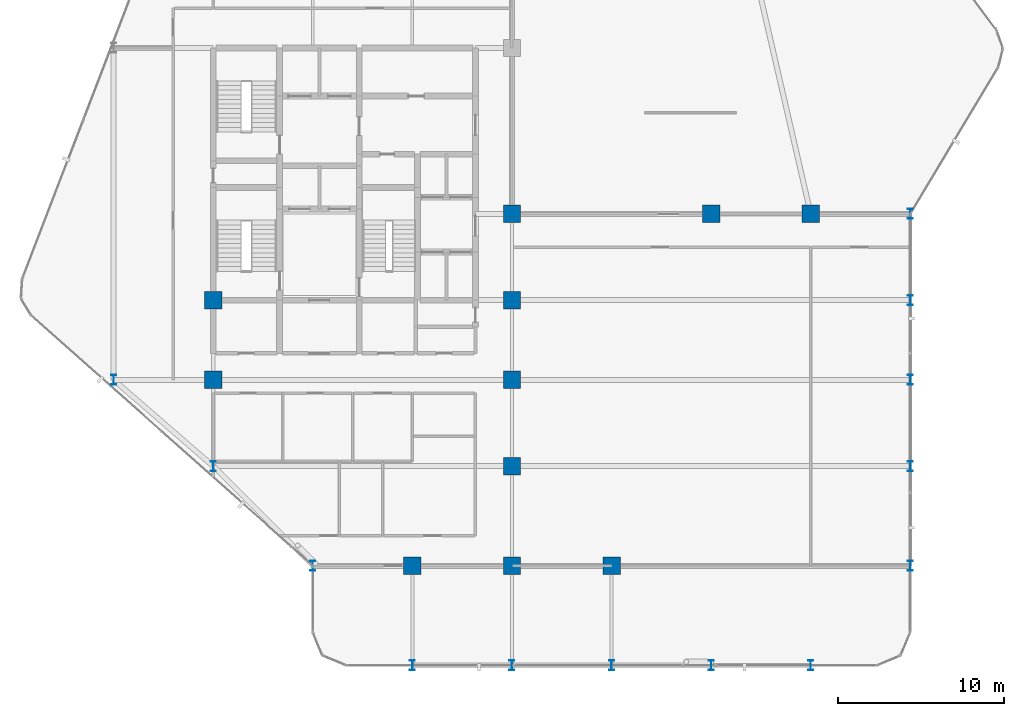
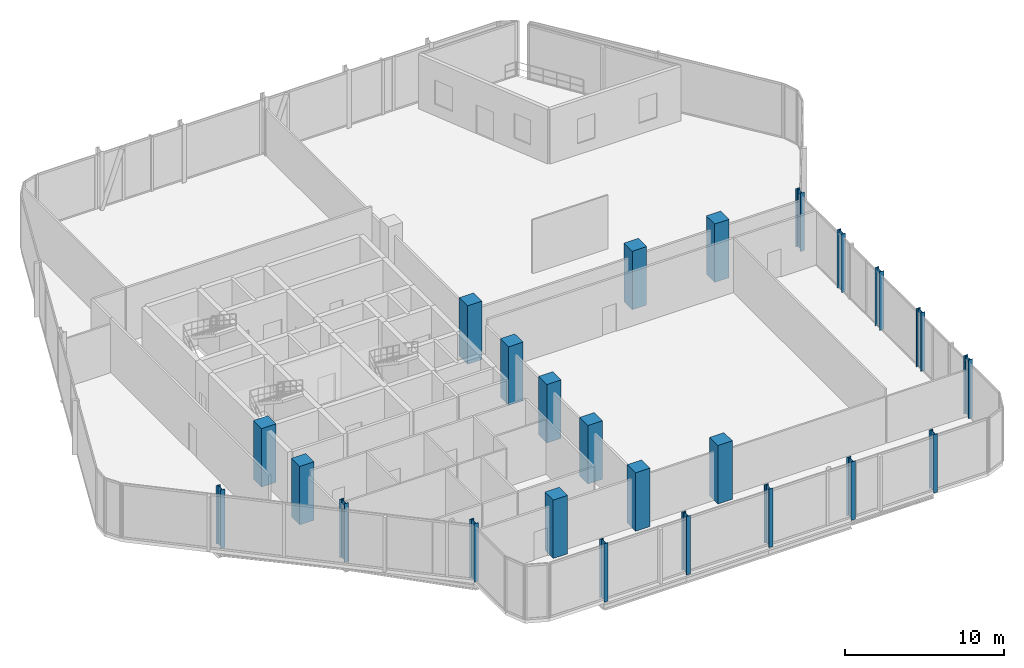
# One storey, part 1 of 31: 24 columns.
"""IFC4 building model written with IfcOpenShell, lengths in metres."""

from ifc_helpers import new_model, si_unit, direction, frame, origin, origin_2d, place, context, subcontext, project, spatial, rectangle, i_section, extrude, material, material_profile, profile_set, type_object, element, save


model = new_model("IFC4")

# Units and contexts
model_context = context("Model", 3, precision=1e-05, world=origin(), true_north=direction((0.0, 1.0)))
body_context = subcontext(model_context, "Body", "Model", "MODEL_VIEW")
ifc_project = project(units=[si_unit("LENGTHUNIT", "METRE"), si_unit("AREAUNIT", "SQUARE_METRE"), si_unit("VOLUMEUNIT", "CUBIC_METRE"), si_unit("PLANEANGLEUNIT", "RADIAN"), si_unit("MASSUNIT", "GRAM", prefix="KILO")], contexts=[model_context])

# Site, building, storey
site_placement = place(None, origin())
site = spatial("IfcSite", under=ifc_project, at=site_placement, CompositionType="ELEMENT")
building_placement = place(site_placement, origin())
building = spatial("IfcBuilding", under=site, at=building_placement, Name="Keshet Zoharim Tower", CompositionType="ELEMENT")
storey_placement = place(building_placement, frame((0.0, 0.0, 125.300048828125)))
storey = spatial("IfcBuildingStorey", under=building, at=storey_placement, Name="L30", CompositionType="ELEMENT", Elevation=125.300048828125)

# Columns
ifc_material_1 = material(Name="Steel S355", Category="steel")
ifc_material_profile_1 = material_profile(ifc_material_1, i_section(OverallWidth=0.300048828125, OverallDepth=0.60009765625, WebThickness=0.015380859375, FlangeThickness=0.030029296875, FilletRadius=0.027099609375, at=origin_2d()), Name="HEB600")
ifc_profile_set_1 = profile_set([ifc_material_profile_1], Name="Steel S355")
column_type_1 = type_object("IfcColumnType", Name="COL-HEB600", PredefinedType="COLUMN", material=ifc_profile_set_1)
for number, where, z_axis, x_axis, name in (
    (1, (9.0, 17.89990234375, 0.0), (0.0, 0.0, 1.0), (1.0, 0.0, 0.0), "L30 Column 2D"),
    (2, (15.0, 12.699951171875, 0.0), (0.0, 0.0, 1.0), (1.0, 0.0, 0.0), "L30 Column 3C"),
    (3, (21.0, 6.699951171875, 0.0), (0.0, 0.0, 1.0), (1.0, 0.0, 0.0), "L30 Column 4B"),
    (4, (27.0, 0.699951171875, 0.0), (0.0, 0.0, 1.0), (1.0, 0.0, 0.0), "L30 Column 5A"),
    (5, (33.0, 0.699951171875, 0.0), (0.0, 0.0, 1.0), (1.0, 0.0, 0.0), "L30 Column 6A"),
    (6, (39.0, 0.699951171875, 0.0), (0.0, 0.0, 1.0), (1.0, 0.0, 0.0), "L30 Column 7A"),
    (7, (45.0, 0.699951171875, 0.0), (0.0, 0.0, 1.0), (1.0, 0.0, 0.0), "L30 Column 8A"),
    (8, (51.0, 0.699951171875, 0.0), (0.0, 0.0, 1.0), (1.0, 0.0, 0.0), "L30 Column 9A"),
    (9, (57.0, 6.699951171875, 0.0), (0.0, 0.0, 1.0), (1.0, 0.0, 0.0), "L30 Column 10B"),
    (10, (57.0, 12.699951171875, 0.0), (0.0, 0.0, 1.0), (1.0, 0.0, 0.0), "L30 Column 10C"),
    (11, (57.0, 17.89990234375, 0.0), (0.0, 0.0, 1.0), (1.0, 0.0, 0.0), "L30 Column 10D"),
    (12, (57.0, 22.699951171875, 0.0), (0.0, 0.0, 1.0), (1.0, 0.0, 0.0), "L30 Column 10E"),
    (13, (57.0, 27.89990234375, 0.0), (0.0, 0.0, 1.0), (1.0, 0.0, 0.0), "L30 Column 10F"),
):
    element("IfcColumn", number, at=place(storey_placement, frame(where, z_axis=z_axis, x_axis=x_axis)), inside=storey, type_object=column_type_1, Name=name, PredefinedType="COLUMN", context=body_context, shape_type="SweptSolid", body=[
        extrude(i_section(OverallWidth=0.300048828125, OverallDepth=0.60009765625, WebThickness=0.015380859375, FlangeThickness=0.030029296875, FilletRadius=0.027099609375, at=origin_2d()), origin(), (0.0, 0.0, 1.0), 4.5),
    ])
ifc_material_2 = material(Name="Concrete C60/75", Category="concrete")
ifc_material_profile_2 = material_profile(ifc_material_2, rectangle(XDim=1.050048828125, YDim=1.050048828125, at=origin_2d()), Name="RC1050x1050")
ifc_profile_set_2 = profile_set([ifc_material_profile_2], Name="Concrete C60/75")
column_type_2 = type_object("IfcColumnType", Name="COL-RC1050", PredefinedType="COLUMN", material=ifc_profile_set_2)
for number, where, z_axis, x_axis, name in (
    (14, (15.0, 17.89990234375, 0.0), (0.0, 0.0, 1.0), (1.0, 0.0, 0.0), "L30 Column 3D"),
    (15, (15.0, 22.699951171875, 0.0), (0.0, 0.0, 1.0), (1.0, 0.0, 0.0), "L30 Column 3E"),
    (16, (27.0, 6.699951171875, 0.0), (0.0, 0.0, 1.0), (1.0, 0.0, 0.0), "L30 Column 5B"),
    (17, (33.0, 6.699951171875, 0.0), (0.0, 0.0, 1.0), (1.0, 0.0, 0.0), "L30 Column 6B"),
    (18, (33.0, 12.699951171875, 0.0), (0.0, 0.0, 1.0), (1.0, 0.0, 0.0), "L30 Column 6C"),
    (19, (33.0, 17.89990234375, 0.0), (0.0, 0.0, 1.0), (1.0, 0.0, 0.0), "L30 Column 6D"),
    (20, (33.0, 22.699951171875, 0.0), (0.0, 0.0, 1.0), (1.0, 0.0, 0.0), "L30 Column 6E"),
    (21, (33.0, 27.89990234375, 0.0), (0.0, 0.0, 1.0), (1.0, 0.0, 0.0), "L30 Column 6F"),
    (22, (39.0, 6.699951171875, 0.0), (0.0, 0.0, 1.0), (1.0, 0.0, 0.0), "L30 Column 7B"),
    (23, (45.0, 27.89990234375, 0.0), (0.0, 0.0, 1.0), (1.0, 0.0, 0.0), "L30 Column 8F"),
    (24, (51.0, 27.89990234375, 0.0), (0.0, 0.0, 1.0), (1.0, 0.0, 0.0), "L30 Column 9F"),
):
    element("IfcColumn", number, at=place(storey_placement, frame(where, z_axis=z_axis, x_axis=x_axis)), inside=storey, type_object=column_type_2, Name=name, PredefinedType="COLUMN", context=body_context, shape_type="SweptSolid", body=[
        extrude(rectangle(XDim=1.050048828125, YDim=1.050048828125, at=origin_2d()), origin(), (0.0, 0.0, 1.0), 4.5),
    ])

save(model, "model.ifc")
